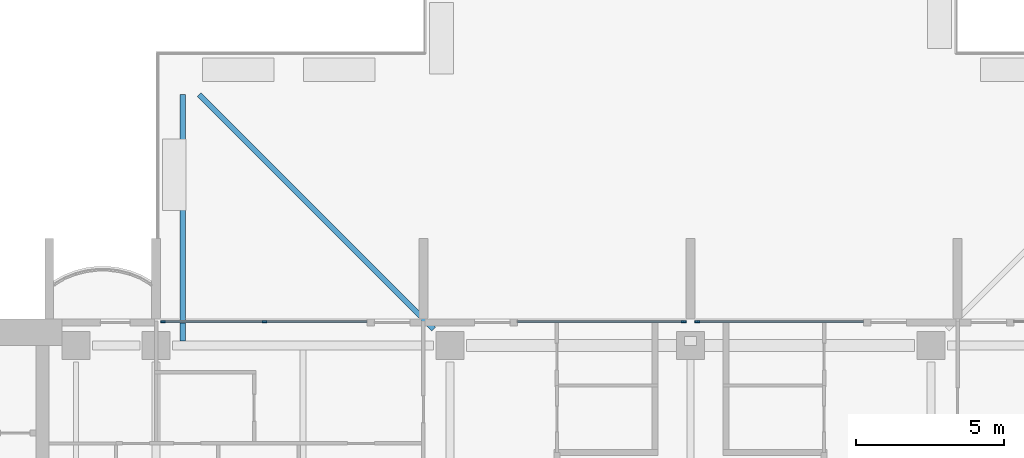
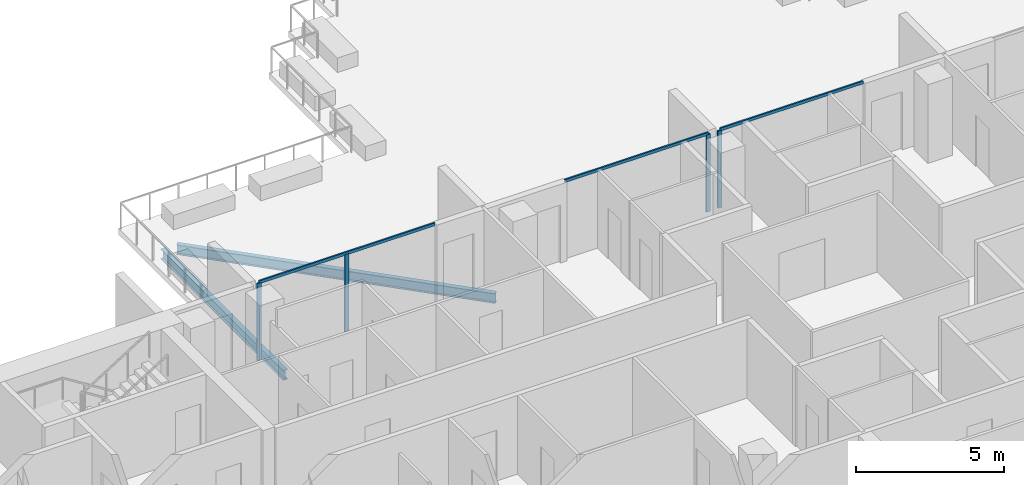
# One storey, part 5 of 18: 7 members, 2 beams, 3 elements without a shape of their own.
"""IFC4 building model written with IfcOpenShell, lengths in metres."""

from ifc_helpers import new_model, si_unit, direction, frame, origin, origin_2d, place, context, subcontext, project, spatial, rectangle, i_section, extrude, material, material_profile, profile_set, type_object, element, aggregate, save


model = new_model("IFC4")

# Units and contexts
model_context = context("Model", 3, precision=1e-05, world=origin(), true_north=direction((0.0, 1.0)))
body_context = subcontext(model_context, "Body", "Model", "MODEL_VIEW")
ifc_project = project(units=[si_unit("LENGTHUNIT", "METRE"), si_unit("AREAUNIT", "SQUARE_METRE"), si_unit("VOLUMEUNIT", "CUBIC_METRE"), si_unit("PLANEANGLEUNIT", "RADIAN"), si_unit("MASSUNIT", "GRAM", prefix="KILO")], contexts=[model_context])

# Site, building, storey
site_placement = place(None, origin())
site = spatial("IfcSite", under=ifc_project, at=site_placement, CompositionType="ELEMENT")
building_placement = place(site_placement, origin())
building = spatial("IfcBuilding", under=site, at=building_placement, Name="Perihelion Cross Residences", CompositionType="ELEMENT")
storey_placement = place(building_placement, frame((0.0, 0.0, 166.60009765625)))
storey = spatial("IfcBuildingStorey", under=building, at=storey_placement, Name="L40", CompositionType="ELEMENT", Elevation=166.60009765625)

# Curtain wall, member
ifc_material_1 = material(Name="Bronze anodised aluminium, tinted glazing", Category="aluminium")
curtain_wall_type = type_object("IfcCurtainWallType", Name="CW1", PredefinedType="NOTDEFINED", material=ifc_material_1)
curtain_wall_1_placement = place(storey_placement, origin())
curtain_wall_1 = element("IfcCurtainWall", 1, at=curtain_wall_1_placement, inside=storey, type_object=curtain_wall_type, Name="Curtain wall CW1 L40 north side east bay 1", PredefinedType="NOTDEFINED")
ifc_material_2 = material(Name="Bronze anodised aluminium", Category="aluminium")
ifc_material_profile_1 = material_profile(ifc_material_2, rectangle(XDim=0.06005859375, YDim=0.159912109375, at=origin_2d()), Name="CW1 mullion")
ifc_profile_set_1 = profile_set([ifc_material_profile_1], Name="Bronze anodised aluminium")
member_type_1 = type_object("IfcMemberType", Name="CW1 mullion", PredefinedType="MULLION", material=ifc_profile_set_1)
member_1_placement = place(storey_placement, frame((0.22998046875, 8.89990234375, 0.0), z_axis=(0.0, 0.0, 1.0), x_axis=(0.0, -1.0, 0.0)))
member_1 = element("IfcMember", 2, at=member_1_placement, type_object=member_type_1, Name="CW1 mullion 2", PredefinedType="MULLION", context=body_context, shape_type="SweptSolid", body=[
    extrude(rectangle(XDim=0.06005859375, YDim=0.159912109375, at=origin_2d()), origin(), (0.0, 0.0, 1.0), 3.18994140625),
])

curtain_wall_2_placement = place(storey_placement, origin())
curtain_wall_2 = element("IfcCurtainWall", 3, at=curtain_wall_2_placement, inside=storey, type_object=curtain_wall_type, Name="Curtain wall CW1 L40 north side east bay 2", PredefinedType="NOTDEFINED")
member_2_placement = place(storey_placement, frame((-0.22998046875, 8.89990234375, 0.0), z_axis=(0.0, 0.0, 1.0), x_axis=(0.0, -1.0, 0.0)))
member_2 = element("IfcMember", 4, at=member_2_placement, type_object=member_type_1, Name="CW1 mullion 1", PredefinedType="MULLION", context=body_context, shape_type="SweptSolid", body=[
    extrude(rectangle(XDim=0.06005859375, YDim=0.159912109375, at=origin_2d()), origin(), (0.0, 0.0, 1.0), 3.18994140625),
])

# Curtain wall, members
curtain_wall_3_placement = place(storey_placement, origin())
curtain_wall_3 = element("IfcCurtainWall", 5, at=curtain_wall_3_placement, inside=storey, type_object=curtain_wall_type, Name="Curtain wall CW1 L40 west side north bay 1", PredefinedType="NOTDEFINED")
member_3_placement = place(storey_placement, frame((-14.35009765625, 8.89990234375, 0.0), z_axis=(0.0, 0.0, 1.0), x_axis=(0.0, -1.0, 0.0)))
member_3 = element("IfcMember", 6, at=member_3_placement, type_object=member_type_1, Name="CW1 mullion 2", PredefinedType="MULLION", context=body_context, shape_type="SweptSolid", body=[
    extrude(rectangle(XDim=0.06005859375, YDim=0.159912109375, at=origin_2d()), origin(), (0.0, 0.0, 1.0), 3.18994140625),
])
member_4_placement = place(storey_placement, frame((-17.77001953125, 8.89990234375, 0.0), z_axis=(0.0, 0.0, 1.0), x_axis=(0.0, -1.0, 0.0)))
member_4 = element("IfcMember", 7, at=member_4_placement, type_object=member_type_1, Name="CW1 mullion 3", PredefinedType="MULLION", context=body_context, shape_type="SweptSolid", body=[
    extrude(rectangle(XDim=0.06005859375, YDim=0.159912109375, at=origin_2d()), origin(), (0.0, 0.0, 1.0), 3.18994140625),
])

# Member
ifc_material_3 = material(Name="Bronze anodised aluminium", Category="aluminium")
ifc_material_profile_2 = material_profile(ifc_material_3, rectangle(XDim=0.06005859375, YDim=0.1201171875, at=origin_2d()), Name="CW1 transom")
ifc_profile_set_2 = profile_set([ifc_material_profile_2], Name="Bronze anodised aluminium")
member_type_2 = type_object("IfcMemberType", Name="CW1 transom", PredefinedType="USERDEFINED", material=ifc_profile_set_2)
member_5_placement = place(storey_placement, frame((5.824951171875, 8.89990234375, 3.219970703125), z_axis=(-1.0, 0.0, 0.0), x_axis=(0.0, -1.0, 0.0)))
member_5 = element("IfcMember", 8, at=member_5_placement, type_object=member_type_2, Name="CW1 head transom", ObjectType="TRANSOM", PredefinedType="USERDEFINED", context=body_context, shape_type="SweptSolid", body=[
    extrude(rectangle(XDim=0.06005859375, YDim=0.1201171875, at=origin_2d()), origin(), (0.0, 0.0, 1.0), 5.594970703125),
])

aggregate(curtain_wall_1, [member_1, member_5])

member_6_placement = place(storey_placement, frame((-0.22998046875, 8.89990234375, 3.219970703125), z_axis=(-1.0, 0.0, 0.0), x_axis=(0.0, -1.0, 0.0)))
member_6 = element("IfcMember", 9, at=member_6_placement, type_object=member_type_2, Name="CW1 head transom", ObjectType="TRANSOM", PredefinedType="USERDEFINED", context=body_context, shape_type="SweptSolid", body=[
    extrude(rectangle(XDim=0.06005859375, YDim=0.1201171875, at=origin_2d()), origin(), (0.0, 0.0, 1.0), 5.594970703125),
])

aggregate(curtain_wall_2, [member_2, member_6])

member_7_placement = place(storey_placement, frame((-10.89990234375, 8.89990234375, 3.219970703125), z_axis=(-1.0, 0.0, 0.0), x_axis=(0.0, -1.0, 0.0)))
member_7 = element("IfcMember", 10, at=member_7_placement, type_object=member_type_2, Name="CW1 head transom", ObjectType="TRANSOM", PredefinedType="USERDEFINED", context=body_context, shape_type="SweptSolid", body=[
    extrude(rectangle(XDim=0.06005859375, YDim=0.1201171875, at=origin_2d()), origin(), (0.0, 0.0, 1.0), 6.8701171875),
])

aggregate(curtain_wall_3, [member_3, member_4, member_7])

# Beams
ifc_material_4 = material(Name="Steel S355", Category="steel")
ifc_material_profile_3 = material_profile(ifc_material_4, i_section(OverallWidth=0.177978515625, OverallDepth=0.406005859375, WebThickness=0.0078125, FlangeThickness=0.0126953125, at=origin_2d()), Name="W410x60")
ifc_profile_set_3 = profile_set([ifc_material_profile_3], Name="Steel S355")
beam_type = type_object("IfcBeamType", Name="Core edge beam W410x60", PredefinedType="BEAM", material=ifc_profile_set_3)
beam_1_placement = place(storey_placement, frame((-17.10009765625, 8.256103515625, -0.453125), z_axis=(0.0, 1.0, 0.0), x_axis=(-1.0, 0.0, 0.0)))
element("IfcBeam", 11, at=beam_1_placement, inside=storey, type_object=beam_type, Name="Core edge beam TB2 L40 corner no. 4", PredefinedType="BEAM", context=body_context, shape_type="SweptSolid", body=[
    extrude(i_section(OverallWidth=0.177978515625, OverallDepth=0.406005859375, WebThickness=0.0078125, FlangeThickness=0.0126953125, at=origin_2d()), origin(), (0.0, 0.0, 1.0), 8.2939453125),
])
beam_2_placement = place(storey_placement, frame((-8.64990234375, 8.64990234375, -0.453125), z_axis=(-0.707106781187, 0.707106781187, 0.0), x_axis=(-0.707106781187, -0.707106781187, 0.0)))
element("IfcBeam", 12, at=beam_2_placement, inside=storey, type_object=beam_type, Name="Core edge beam TB2 L40 corner no. 3", PredefinedType="BEAM", context=body_context, shape_type="SweptSolid", body=[
    extrude(i_section(OverallWidth=0.177978515625, OverallDepth=0.406005859375, WebThickness=0.0078125, FlangeThickness=0.0126953125, at=origin_2d()), origin(), (0.0, 0.0, 1.0), 11.172607421875),
])

save(model, "model.ifc")
